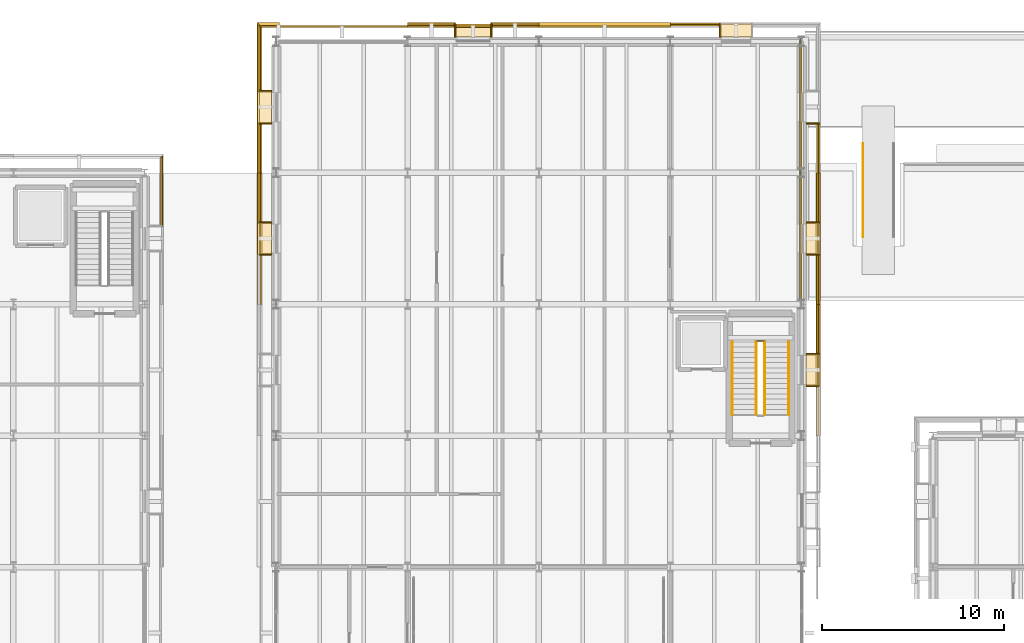
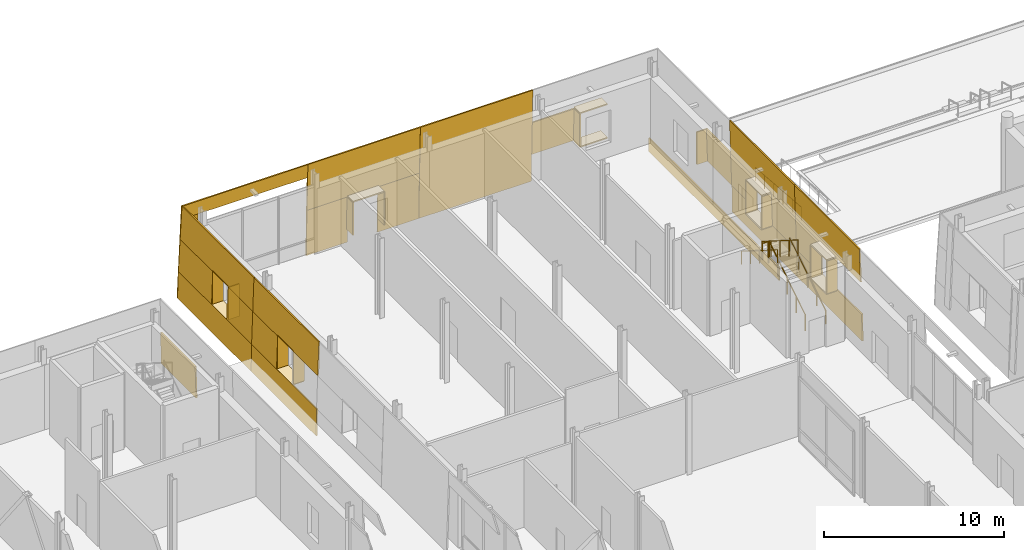
# One storey, part 110 of 120: 47 coverings, 6 railings.
"""IFC4 building model written with IfcOpenShell, lengths in metres."""

import ifcopenshell
import ifcopenshell.guid

model = None  # the IFC model being written
_history = None  # IfcOwnerHistory: only IFC2X3 demands one
_inside = {}  # id of a spatial element -> (the spatial element, [elements in it])
_under = {}  # id of a project, library or spatial element -> (it, [spatial elements below it])
_declared = {}  # id of a project -> (the project, [libraries it declares])
_typed = {}  # id of a type object -> (the type object, [elements of that type])
_made_of = {}  # id of a material, layer set ... -> (it, [elements and type objects made of it])


def new_model(schema):
    """Start an empty IFC model of exactly this schema.

    Asked for "IFC4X3", IfcOpenShell would pick the latest addendum, in which some entities
    have other attributes; the version numbers below select the first issue.
    IFC2X3 requires an IfcOwnerHistory on every rooted entity: one is made here for all.
    """
    global model, _history
    if schema == "IFC4X3":
        model = ifcopenshell.file(schema_version=(4, 3, 0, 0))
    else:
        model = ifcopenshell.file(schema=schema)
    _inside.clear()
    _under.clear()
    _declared.clear()
    _typed.clear()
    _made_of.clear()
    _history = None
    if model.schema == "IFC2X3":
        org = make("IfcOrganization", Name="unknown")
        user = make(
            "IfcPersonAndOrganization",
            ThePerson=make("IfcPerson", FamilyName="unknown"),
            TheOrganization=org,
        )
        app = make(
            "IfcApplication",
            ApplicationDeveloper=org,
            Version="unknown",
            ApplicationFullName="unknown",
            ApplicationIdentifier="unknown",
        )
        _history = make(
            "IfcOwnerHistory",
            OwningUser=user,
            OwningApplication=app,
            ChangeAction="ADDED",
            CreationDate=0,
        )
    return model


def make(cls, **values):
    """One entity of the class cls with the attributes given. An attribute that is None is left unset."""
    return model.create_entity(
        cls, **{name: value for name, value in values.items() if value is not None}
    )


def rooted(cls, **values):
    """An entity with a GlobalId (a new one), such as an element, a storey or a relation."""
    return make(cls, GlobalId=ifcopenshell.guid.new(), OwnerHistory=_history, **values)


def si_unit(unit_type, name, prefix=None):
    """IfcSIUnit, for example si_unit("LENGTHUNIT", "METRE", prefix="MILLI")."""
    return make("IfcSIUnit", UnitType=unit_type, Prefix=prefix, Name=name)


def assignment(units):
    """IfcUnitAssignment: the units of a project."""
    return None if units is None else make("IfcUnitAssignment", Units=units)


def point(xyz):
    """IfcCartesianPoint."""
    return None if xyz is None else make("IfcCartesianPoint", Coordinates=xyz)


def direction(xyz):
    """IfcDirection."""
    return None if xyz is None else make("IfcDirection", DirectionRatios=xyz)


def frame(location, z_axis=None, x_axis=None):
    """IfcAxis2Placement3D, a coordinate frame: its origin and axes. An axis left out is left unset."""
    return make(
        "IfcAxis2Placement3D",
        Location=point(location),
        Axis=direction(z_axis),
        RefDirection=direction(x_axis),
    )


def frame_2d(location, x_axis=None):
    """IfcAxis2Placement2D, a coordinate frame in the plane: its origin and x axis."""
    return make(
        "IfcAxis2Placement2D", Location=point(location), RefDirection=direction(x_axis)
    )


def origin():
    """The frame at (0, 0, 0) with its axes left unset."""
    return frame((0.0, 0.0, 0.0))


def origin_2d():
    """The frame at (0, 0) in the plane with its x axis left unset."""
    return frame_2d((0.0, 0.0))


def place(relative_to, where):
    """IfcLocalPlacement: puts the frame where relative to a parent placement (None: the world)."""
    return make(
        "IfcLocalPlacement", PlacementRelTo=relative_to, RelativePlacement=where
    )


def context(
    kind, dimensions, precision=None, world=None, true_north=None, identifier=None
):
    """IfcGeometricRepresentationContext, for example the 3D "Model" context."""
    return make(
        "IfcGeometricRepresentationContext",
        ContextIdentifier=identifier,
        ContextType=kind,
        CoordinateSpaceDimension=dimensions,
        Precision=precision,
        WorldCoordinateSystem=world,
        TrueNorth=true_north,
    )


def subcontext(parent, identifier, kind, view, scale=None):
    """IfcGeometricRepresentationSubContext, for example "Body" below "Model"."""
    return make(
        "IfcGeometricRepresentationSubContext",
        ContextIdentifier=identifier,
        ContextType=kind,
        ParentContext=parent,
        TargetScale=scale,
        TargetView=view,
    )


def project(units=None, contexts=None):
    """IfcProject with its units and contexts."""
    return rooted(
        "IfcProject",
        Name="project",
        RepresentationContexts=contexts,
        UnitsInContext=assignment(units),
    )


def spatial(cls, under=None, at=None, **own):
    """A site, building, storey or space (cls), placed at a placement, below another one or the project."""
    s = rooted(cls, ObjectPlacement=at, **own)
    if under is not None:
        _under.setdefault(under.id(), (under, []))[1].append(s)
    return s


def polyline(points):
    """IfcPolyline through the points."""
    return make("IfcPolyline", Points=[point(p) for p in points])


def profile(cls, at=None, kind="AREA", **sizes):
    """A parametric profile (cls). Its sizes go by their IFC names, for example OverallWidth=200.0."""
    return make(cls, ProfileType=kind, Position=at, **sizes)


def circle(**sizes):
    """IfcCircleProfileDef."""
    return profile("IfcCircleProfileDef", **sizes)


def outline(outer, holes=None, kind="AREA"):
    """IfcArbitraryClosedProfileDef: a profile drawn as a closed curve; with holes, ...WithVoids."""
    if holes is None:
        return make("IfcArbitraryClosedProfileDef", ProfileType=kind, OuterCurve=outer)
    return make(
        "IfcArbitraryProfileDefWithVoids",
        ProfileType=kind,
        OuterCurve=outer,
        InnerCurves=holes,
    )


def extrude(swept, where, along, depth):
    """IfcExtrudedAreaSolid: the profile swept, set in the frame where, extruded along a direction by depth."""
    return make(
        "IfcExtrudedAreaSolid",
        SweptArea=swept,
        Position=where,
        ExtrudedDirection=direction(along),
        Depth=depth,
    )


def shape(context_of_items, identifier, shape_type, items):
    """IfcShapeRepresentation: the items that make up one representation, for example the "Body"."""
    return make(
        "IfcShapeRepresentation",
        ContextOfItems=context_of_items,
        RepresentationIdentifier=identifier,
        RepresentationType=shape_type,
        Items=items,
    )


def material(Name=None, Category=None):
    """IfcMaterial."""
    return make("IfcMaterial", Name=Name, Category=Category)


def layer(
    of_material, thickness, ventilated=None, Name=None, Category=None, Priority=None
):
    """IfcMaterialLayer: one layer of a wall or slab, of a material (None: an air gap)."""
    return make(
        "IfcMaterialLayer",
        Material=of_material,
        LayerThickness=thickness,
        IsVentilated=ventilated,
        Name=Name,
        Category=Category,
        Priority=Priority,
    )


def layer_set(layers, Name=None):
    """IfcMaterialLayerSet."""
    return make("IfcMaterialLayerSet", MaterialLayers=layers, LayerSetName=Name)


def made_of(thing, what):
    """Note that an element or type object is made of a material, layer set ...; save() writes the relation."""
    if what is not None:
        _made_of.setdefault(what.id(), (what, []))[1].append(thing)
    return thing


def type_object(cls, material=None, **own):
    """A type object (cls), such as IfcWallType, which elements share."""
    return made_of(rooted(cls, **own), material)


def element(
    cls,
    number,
    at=None,
    inside=None,
    cuts=None,
    type_object=None,
    material=None,
    context=None,
    identifier="Body",
    shape_type=None,
    held_by="IfcProductDefinitionShape",
    body=None,
    shapes=None,
    **own,
):
    """One element of the class cls, such as IfcWall. Its Tag is "e" and its number.

    at: its placement. inside: the storey or other place that contains it. cuts: it is an
    opening in that element (IfcRelVoidsElement). A single representation is given by context,
    identifier, shape_type and body (its items); several are given by shapes. held_by: the class
    of the entity that holds the representations. save() writes the other relations.
    """
    e = rooted(cls, Tag="e%d" % number, ObjectPlacement=at, **own)
    if body is not None:
        shapes = [shape(context, identifier, shape_type, body)]
    if shapes is not None:
        e.Representation = make(held_by, Representations=shapes)
    if inside is not None:
        _inside.setdefault(inside.id(), (inside, []))[1].append(e)
    if cuts is not None:
        rooted(
            "IfcRelVoidsElement", RelatingBuildingElement=cuts, RelatedOpeningElement=e
        )
    if type_object is not None:
        _typed.setdefault(type_object.id(), (type_object, []))[1].append(e)
    return made_of(e, material)


def aggregate(whole, parts):
    """IfcRelAggregates: a whole, such as a stair, and the parts it consists of."""
    return rooted("IfcRelAggregates", RelatingObject=whole, RelatedObjects=parts)


def save(model, path):
    """Write the relations noted so far, then the file.

    IfcRelAggregates (storeys below a building ...), IfcRelContainedInSpatialStructure (elements
    in a storey), IfcRelDefinesByType, IfcRelAssociatesMaterial and IfcRelDeclares: one each for
    every whole, place, type object, material and project.
    """
    for whole, parts in _under.values():
        aggregate(whole, parts)
    for where, things in _inside.values():
        rooted(
            "IfcRelContainedInSpatialStructure",
            RelatedElements=things,
            RelatingStructure=where,
        )
    for kind, things in _typed.values():
        rooted("IfcRelDefinesByType", RelatedObjects=things, RelatingType=kind)
    for what, things in _made_of.values():
        rooted("IfcRelAssociatesMaterial", RelatedObjects=things, RelatingMaterial=what)
    for by, libraries in _declared.values():
        rooted("IfcRelDeclares", RelatingContext=by, RelatedDefinitions=libraries)
    model.write(path)


model = new_model("IFC4")

# Units and contexts
model_context = context("Model", 3, precision=1e-05, world=origin(), true_north=direction((0.0, 1.0)))
body_context = subcontext(model_context, "Body", "Model", "MODEL_VIEW")
ifc_project = project(units=[si_unit("LENGTHUNIT", "METRE"), si_unit("AREAUNIT", "SQUARE_METRE"), si_unit("VOLUMEUNIT", "CUBIC_METRE"), si_unit("PLANEANGLEUNIT", "RADIAN"), si_unit("MASSUNIT", "GRAM", prefix="KILO")], contexts=[model_context])

# Site, building, storey
site_placement = place(None, origin())
site = spatial("IfcSite", under=ifc_project, at=site_placement, CompositionType="ELEMENT")
building_placement = place(site_placement, origin())
building = spatial("IfcBuilding", under=site, at=building_placement, Name="Narikvali Park Central Library", CompositionType="ELEMENT")
storey_placement = place(building_placement, origin())
storey = spatial("IfcBuildingStorey", under=building, at=storey_placement, Name="L00", CompositionType="ELEMENT", Elevation=0.0)

# Railing
ifc_material_1 = material(Name="Brushed Stainless Steel S355", Category="steel")
ifc_layer_1 = layer(ifc_material_1, 0.050048828125, Name="Brushed Stainless Steel S355")
ifc_layer_set_1 = layer_set([ifc_layer_1], Name="Brushed Stainless Steel S355")
railing_type_1 = type_object("IfcRailingType", Name="Accessible Ramp Stainless Handrail 920", PredefinedType="HANDRAIL", material=ifc_layer_set_1)
railing_1_placement = place(storey_placement, frame((60.9599609375, 109.60009765625, -0.56787109375)))
element("IfcRailing", 1, at=railing_1_placement, inside=storey, type_object=railing_type_1, Name="RMP-01 Accessible Handrail W", PredefinedType="HANDRAIL", context=body_context, shape_type="SweptSolid", body=[
    extrude(circle(Radius=0.02392578125, at=origin_2d()), frame((0.0, 0.0, 0.89599609375), z_axis=(0.0, -0.996770364841, 0.080304668455), x_axis=(1.0, 0.0, 0.0)), (0.0, 0.0, 1.0), 5.11669921875),
    extrude(circle(Radius=0.02099609375, at=origin_2d()), origin(), (0.0, 0.0, 1.0), 0.871826171875),
    extrude(circle(Radius=0.02099609375, at=origin_2d()), frame((0.0, -1.02001953125, 0.082275390625)), (0.0, 0.0, 1.0), 0.871826171875),
    extrude(circle(Radius=0.02099609375, at=origin_2d()), frame((0.0, -2.0400390625, 0.164306640625)), (0.0, 0.0, 1.0), 0.871826171875),
    extrude(circle(Radius=0.02099609375, at=origin_2d()), frame((0.0, -3.06005859375, 0.24658203125)), (0.0, 0.0, 1.0), 0.871826171875),
    extrude(circle(Radius=0.02099609375, at=origin_2d()), frame((0.0, -4.080078125, 0.32861328125)), (0.0, 0.0, 1.0), 0.871826171875),
    extrude(circle(Radius=0.02099609375, at=origin_2d()), frame((0.0, -5.10009765625, 0.410888671875)), (0.0, 0.0, 1.0), 0.871826171875),
])

# Coverings
ifc_material_2 = material(Name="White Honed Limestone Cladding", Category="masonry")
ifc_layer_2 = layer(ifc_material_2, 0.0849609375, Name="White Honed Limestone Cladding")
ifc_layer_set_2 = layer_set([ifc_layer_2], Name="White Honed Limestone Cladding")
covering_type_1 = type_object("IfcCoveringType", Name="Battered White Limestone Facade Cladding Panel", PredefinedType="CLADDING", material=ifc_layer_set_2)
covering_1_placement = place(storey_placement, frame((58.639892578125, 93.60009765625, -0.8798828125), z_axis=(0.999847289173, 0.0, 0.017475649751), x_axis=(0.0, 1.0, 0.0)))
element("IfcCovering", 2, at=covering_1_placement, inside=storey, type_object=covering_type_1, Name="V4 L00 E Battered Limestone Spandrel B07", PredefinedType="CLADDING", context=body_context, shape_type="SweptSolid", body=[
    extrude(outline(polyline([(0.0, 0.0), (7.199951171875, 0.0), (7.199951171875, 1.8301134625161029), (0.0, 1.8301134625161029), (0.0, 0.0)])), origin(), (0.0, 0.0, -1.0), 0.0849609375),
])
covering_2_placement = place(storey_placement, frame((58.533935546875, 93.60009765625, 3.14990234375), z_axis=(0.999431101062, 0.0, 0.033726461852), x_axis=(0.0, 1.0, 0.0)))
element("IfcCovering", 3, at=covering_2_placement, inside=storey, type_object=covering_type_1, Name="V4 L00 E Battered Limestone Lintel B07", PredefinedType="CLADDING", context=body_context, shape_type="SweptSolid", body=[
    extrude(outline(polyline([(0.0, 0.0), (7.199951171875, 0.0), (7.199951171875, 2.2512807512274695), (0.0, 2.2512807512274695), (0.0, 0.0)])), origin(), (0.0, 0.0, -1.0), 0.0849609375),
])
covering_3_placement = place(storey_placement, frame((58.60791015625, 98.0400390625, 0.949951171875), z_axis=(0.999435139525, 0.0, 0.033606574995), x_axis=(0.0, 1.0, 0.0)))
element("IfcCovering", 4, at=covering_3_placement, inside=storey, type_object=covering_type_1, Name="V4 L00 E Battered Limestone Jamb Pier R B07", PredefinedType="CLADDING", context=body_context, shape_type="SweptSolid", body=[
    extrude(outline(polyline([(0.0, 0.0), (2.760009765625, 0.0), (2.760009765625, 2.201194539668489), (0.0, 2.201194539668489), (0.0, 0.0)])), origin(), (0.0, 0.0, -1.0), 0.0849609375),
])
covering_4_placement = place(storey_placement, frame((58.639892578125, 100.800048828125, -0.8798828125), z_axis=(0.999847289173, 0.0, 0.017475649751), x_axis=(0.0, 1.0, 0.0)))
element("IfcCovering", 5, at=covering_4_placement, inside=storey, type_object=covering_type_1, Name="V4 L00 E Battered Limestone Spandrel B08", PredefinedType="CLADDING", context=body_context, shape_type="SweptSolid", body=[
    extrude(outline(polyline([(0.0, 0.0), (7.199951171875, 0.0), (7.199951171875, 1.8301134625161029), (0.0, 1.8301134625161029), (0.0, 0.0)])), origin(), (0.0, 0.0, -1.0), 0.0849609375),
])
covering_5_placement = place(storey_placement, frame((58.533935546875, 100.800048828125, 3.14990234375), z_axis=(0.999431101062, 0.0, 0.033726461852), x_axis=(0.0, 1.0, 0.0)))
element("IfcCovering", 6, at=covering_5_placement, inside=storey, type_object=covering_type_1, Name="V4 L00 E Battered Limestone Lintel B08", PredefinedType="CLADDING", context=body_context, shape_type="SweptSolid", body=[
    extrude(outline(polyline([(0.0, 0.0), (7.199951171875, 0.0), (7.199951171875, 2.2512807512274695), (0.0, 2.2512807512274695), (0.0, 0.0)])), origin(), (0.0, 0.0, -1.0), 0.0849609375),
])
for number, where, z_axis, x_axis, name in (
    (7, (58.60791015625, 100.800048828125, 0.949951171875), (0.999435139525, 0.0, 0.033606574995), (0.0, 1.0, 0.0), "V4 L00 E Battered Limestone Jamb Pier L B08"),
    (8, (58.60791015625, 105.239990234375, 0.949951171875), (0.999435139525, 0.0, 0.033606574995), (0.0, 1.0, 0.0), "V4 L00 E Battered Limestone Jamb Pier R B08"),
    (9, (58.60791015625, 108.0, 0.949951171875), (0.999435139525, 0.0, 0.033606574995), (0.0, 1.0, 0.0), "V4 L00 E Battered Limestone Jamb Pier L B09"),
):
    element("IfcCovering", number, at=place(storey_placement, frame(where, z_axis=z_axis, x_axis=x_axis)), inside=storey, type_object=covering_type_1, Name=name, PredefinedType="CLADDING", context=body_context, shape_type="SweptSolid", body=[
        extrude(outline(polyline([(0.0, 0.0), (2.760009765625, 0.0), (2.760009765625, 2.201194539668489), (0.0, 2.201194539668489), (0.0, 0.0)])), origin(), (0.0, 0.0, -1.0), 0.0849609375),
    ])
covering_6_placement = place(storey_placement, frame((53.159912109375, 116.2080078125, 0.949951171875), z_axis=(0.0, 0.999431408105, 0.033717361898), x_axis=(-1.0, 0.0, 0.0)))
element("IfcCovering", 10, at=covering_6_placement, inside=storey, type_object=covering_type_1, Name="V4 L00 N Battered Limestone Jamb Pier R B01", PredefinedType="CLADDING", context=body_context, shape_type="SweptSolid", body=[
    extrude(outline(polyline([(0.0, 0.0), (2.760009765625, 0.0), (2.760009765625, 2.2012027579225295), (0.0, 2.2012027579225295), (0.0, 0.0)])), origin(), (0.0, 0.0, -1.0), 0.0849609375),
])
covering_7_placement = place(storey_placement, frame((50.39990234375, 116.239990234375, -0.8798828125), z_axis=(0.0, 0.999580820588, 0.028951392245), x_axis=(-1.0, 0.0, 0.0)))
element("IfcCovering", 11, at=covering_7_placement, inside=storey, type_object=covering_type_1, Name="V4 L00 N Battered Limestone Panel B02", PredefinedType="CLADDING", context=body_context, shape_type="SweptSolid", body=[
    extrude(outline(polyline([(0.0, 0.0), (7.199951171875, 0.0), (7.199951171875, 6.282418616792763), (0.0, 6.282418616792763), (0.0, 0.0)])), origin(), (0.0, 0.0, -1.0), 0.0849609375),
])
for number, where, z_axis, x_axis, name in (
    (12, (43.199951171875, 116.239990234375, -0.8798828125), (0.0, 0.999707784782, 0.024173229947), (-1.0, 0.0, 0.0), "V4 L00 N Battered Portal Pier L B03"),
    (13, (38.639892578125, 116.239990234375, -0.8798828125), (0.0, 0.999707784782, 0.024173229947), (-1.0, 0.0, 0.0), "V4 L00 N Battered Portal Pier R B03"),
):
    element("IfcCovering", number, at=place(storey_placement, frame(where, z_axis=z_axis, x_axis=x_axis)), inside=storey, type_object=covering_type_1, Name=name, PredefinedType="CLADDING", context=body_context, shape_type="SweptSolid", body=[
        extrude(outline(polyline([(0.0, 0.0), (2.639892578125, 0.0), (2.639892578125, 3.120784987740248), (0.0, 3.120784987740248), (0.0, 0.0)])), origin(), (0.0, 0.0, -1.0), 0.0849609375),
    ])
covering_8_placement = place(storey_placement, frame((43.199951171875, 116.16455078125, 2.239990234375), z_axis=(0.0, 0.999433103653, 0.033667065842), x_axis=(-1.0, 0.0, 0.0)))
element("IfcCovering", 14, at=covering_8_placement, inside=storey, type_object=covering_type_1, Name="V4 L00 N Battered Portal Header B03", PredefinedType="CLADDING", context=body_context, shape_type="SweptSolid", body=[
    extrude(outline(polyline([(0.0, 0.0), (7.199951171875, 0.0), (7.199951171875, 3.1617044680880575), (0.0, 3.1617044680880575), (0.0, 0.0)])), origin(), (0.0, 0.0, -1.0), 0.0849609375),
])
covering_9_placement = place(storey_placement, frame((36.0, 116.08837890625, 4.5), z_axis=(0.0, 0.999434628015, 0.033621783471), x_axis=(-1.0, 0.0, 0.0)))
element("IfcCovering", 15, at=covering_9_placement, inside=storey, type_object=covering_type_1, Name="V4 L00 N Battered Limestone Spandrel Header B04", PredefinedType="CLADDING", context=body_context, shape_type="SweptSolid", body=[
    extrude(outline(polyline([(0.0, 0.0), (8.08837890625, 0.0), (8.05810546875, 0.9004114111364925), (0.0, 0.9004114111364925), (0.0, 0.0)])), origin(), (0.0, 0.0, -1.0), 0.0849609375),
])
covering_10_placement = place(storey_placement, frame((28.991943359375, 116.239990234375, -0.8798828125), z_axis=(0.0, 0.999603147527, 0.028169974343), x_axis=(-1.0, 0.0, 0.0)))
element("IfcCovering", 16, at=covering_10_placement, inside=storey, type_object=covering_type_1, Name="V4 L00 N Battered Limestone Pier R B04", PredefinedType="CLADDING", context=body_context, shape_type="SweptSolid", body=[
    extrude(outline(polyline([(0.0, 0.0), (1.23193359375, 0.0), (1.080322265625, 5.382018679923801), (0.0, 5.382018679923801), (0.0, 0.0)])), origin(), (0.0, 0.0, -1.0), 0.0849609375),
])
covering_11_placement = place(storey_placement, frame((27.760009765625, 116.155029296875, -0.8798828125), z_axis=(-0.999847289173, 0.0, 0.017475649751), x_axis=(0.0, -1.0, 0.0)))
element("IfcCovering", 17, at=covering_11_placement, inside=storey, type_object=covering_type_1, Name="V4 L00 W Battered Limestone Spandrel B01", PredefinedType="CLADDING", context=body_context, shape_type="SweptSolid", body=[
    extrude(outline(polyline([(0.0, 0.0), (8.155029296875, 0.0), (8.155029296875, 1.8301134625161026), (0.031982421875, 1.8301134625161026), (0.0, 0.0)])), origin(), (0.0, 0.0, -1.0), 0.0849609375),
])
covering_12_placement = place(storey_placement, frame((27.8662109375, 116.048828125, 3.14990234375), z_axis=(-0.999434750598, 0.0, 0.033618139397), x_axis=(0.0, -1.0, 0.0)))
element("IfcCovering", 18, at=covering_12_placement, inside=storey, type_object=covering_type_1, Name="V4 L00 W Battered Limestone Lintel B01", PredefinedType="CLADDING", context=body_context, shape_type="SweptSolid", body=[
    extrude(outline(polyline([(0.0, 0.0), (8.048828125, 0.0), (8.048828125, 2.251272530450926), (0.07568359375, 2.251272530450926), (0.0, 0.0)])), origin(), (0.0, 0.0, -1.0), 0.0849609375),
])
covering_13_placement = place(storey_placement, frame((27.7919921875, 116.123046875, 0.949951171875), z_axis=(-0.999431408105, 0.0, 0.033717361898), x_axis=(0.0, -1.0, 0.0)))
element("IfcCovering", 19, at=covering_13_placement, inside=storey, type_object=covering_type_1, Name="V4 L00 W Battered Limestone Jamb Pier L B01", PredefinedType="CLADDING", context=body_context, shape_type="SweptSolid", body=[
    extrude(outline(polyline([(0.0, 0.0), (3.68310546875, 0.0), (3.68310546875, 2.201202757922529), (0.07421875, 2.201202757922529), (0.0, 0.0)])), origin(), (0.0, 0.0, -1.0), 0.0849609375),
])
covering_14_placement = place(storey_placement, frame((27.7919921875, 110.760009765625, 0.949951171875), z_axis=(-0.999431408105, 0.0, 0.033717361898), x_axis=(0.0, -1.0, 0.0)))
element("IfcCovering", 20, at=covering_14_placement, inside=storey, type_object=covering_type_1, Name="V4 L00 W Battered Limestone Jamb Pier R B01", PredefinedType="CLADDING", context=body_context, shape_type="SweptSolid", body=[
    extrude(outline(polyline([(0.0, 0.0), (2.760009765625, 0.0), (2.760009765625, 2.2012027579225295), (0.0, 2.2012027579225295), (0.0, 0.0)])), origin(), (0.0, 0.0, -1.0), 0.0849609375),
])
covering_15_placement = place(storey_placement, frame((27.760009765625, 108.0, -0.8798828125), z_axis=(-0.999847289173, 0.0, 0.017475649751), x_axis=(0.0, -1.0, 0.0)))
element("IfcCovering", 21, at=covering_15_placement, inside=storey, type_object=covering_type_1, Name="V4 L00 W Battered Limestone Spandrel B02", PredefinedType="CLADDING", context=body_context, shape_type="SweptSolid", body=[
    extrude(outline(polyline([(0.0, 0.0), (7.199951171875, 0.0), (7.199951171875, 1.8301134625161029), (0.0, 1.8301134625161029), (0.0, 0.0)])), origin(), (0.0, 0.0, -1.0), 0.0849609375),
])
covering_16_placement = place(storey_placement, frame((27.8662109375, 108.0, 3.14990234375), z_axis=(-0.999434750598, 0.0, 0.033618139397), x_axis=(0.0, -1.0, 0.0)))
element("IfcCovering", 22, at=covering_16_placement, inside=storey, type_object=covering_type_1, Name="V4 L00 W Battered Limestone Lintel B02", PredefinedType="CLADDING", context=body_context, shape_type="SweptSolid", body=[
    extrude(outline(polyline([(0.0, 0.0), (7.199951171875, 0.0), (7.199951171875, 2.251272530450926), (0.0, 2.251272530450926), (0.0, 0.0)])), origin(), (0.0, 0.0, -1.0), 0.0849609375),
])
covering_17_placement = place(storey_placement, frame((27.7919921875, 108.0, 0.949951171875), z_axis=(-0.999431408105, 0.0, 0.033717361898), x_axis=(0.0, -1.0, 0.0)))
element("IfcCovering", 23, at=covering_17_placement, inside=storey, type_object=covering_type_1, Name="V4 L00 W Battered Limestone Jamb Pier L B02", PredefinedType="CLADDING", context=body_context, shape_type="SweptSolid", body=[
    extrude(outline(polyline([(0.0, 0.0), (2.760009765625, 0.0), (2.760009765625, 2.2012027579225295), (0.0, 2.2012027579225295), (0.0, 0.0)])), origin(), (0.0, 0.0, -1.0), 0.0849609375),
])
covering_18_placement = place(storey_placement, frame((22.613037109375, 105.0400390625, 0.949951171875), z_axis=(0.99959734633, 0.0, 0.028375080797), x_axis=(0.0, 1.0, 0.0)))
element("IfcCovering", 24, at=covering_18_placement, inside=storey, type_object=covering_type_1, Name="V5 L00 E Battered Limestone Jamb Pier R B11", PredefinedType="CLADDING", context=body_context, shape_type="SweptSolid", body=[
    extrude(outline(polyline([(0.0, 0.0), (3.887939453125, 0.0), (3.8271484375, 2.15101259749185), (0.0, 2.15101259749185), (0.0, 0.0)])), origin(), (0.0, 0.0, -1.0), 0.0849609375),
])
covering_19_placement = place(storey_placement, frame((57.580078125, 101.0, -0.905029296875), z_axis=(1.0, 0.0, 0.0), x_axis=(0.0, 1.0, 0.0)))
element("IfcCovering", 25, at=covering_19_placement, inside=storey, type_object=covering_type_1, Name="Forecourt White Limestone Plinth Facing FC-PLINTH-W", PredefinedType="CLADDING", context=body_context, shape_type="SweptSolid", body=[
    extrude(outline(polyline([(0.0, 0.0), (14.449951171875, 0.0), (14.449951171875, 0.905029296875), (0.0, 0.905029296875), (0.0, 0.0)])), origin(), (0.0, 0.0, -1.0), 0.0849609375),
])
ifc_layer_3 = layer(ifc_material_2, 0.080078125, Name="White Honed Limestone Cladding")
ifc_layer_set_3 = layer_set([ifc_layer_3], Name="White Honed Limestone Cladding")
covering_type_2 = type_object("IfcCoveringType", Name="Deep Carved White Limestone Window Reveal", PredefinedType="CLADDING", material=ifc_layer_set_3)
covering_20_placement = place(storey_placement, frame((0.0, 0.0, 3.14990234375)))
element("IfcCovering", 26, at=covering_20_placement, inside=storey, type_object=covering_type_2, Name="Deep Stone Reveal Head V4-RVL-L00-E-B07", PredefinedType="CLADDING", context=body_context, shape_type="SweptSolid", body=[
    extrude(outline(polyline([(57.844970703125, 96.320068359375), (57.844970703125, 98.080078125), (58.533935546875, 98.080078125), (58.533935546875, 96.320068359375), (57.844970703125, 96.320068359375)])), origin(), (0.0, 0.0, 1.0), 0.080078125),
])
covering_21_placement = place(storey_placement, frame((0.0, 0.0, 0.8701171875)))
element("IfcCovering", 27, at=covering_21_placement, inside=storey, type_object=covering_type_2, Name="Deep Stone Reveal Sill V4-RVL-L00-E-B07", PredefinedType="CLADDING", context=body_context, shape_type="SweptSolid", body=[
    extrude(outline(polyline([(57.844970703125, 96.320068359375), (57.844970703125, 98.080078125), (58.60791015625, 98.080078125), (58.60791015625, 96.320068359375), (57.844970703125, 96.320068359375)])), origin(), (0.0, 0.0, 1.0), 0.079833984375),
])
covering_22_placement = place(storey_placement, frame((0.0, 0.0, 0.949951171875)))
element("IfcCovering", 28, at=covering_22_placement, inside=storey, type_object=covering_type_2, Name="Deep Stone Reveal Jamb L V4-RVL-L00-E-B07", PredefinedType="CLADDING", context=body_context, shape_type="SweptSolid", body=[
    extrude(outline(polyline([(57.844970703125, 96.280029296875), (57.844970703125, 96.360107421875), (58.533935546875, 96.360107421875), (58.533935546875, 96.280029296875), (57.844970703125, 96.280029296875)])), origin(), (0.0, 0.0, 1.0), 2.199951171875),
])
covering_23_placement = place(storey_placement, frame((0.0, 0.0, 0.949951171875)))
element("IfcCovering", 29, at=covering_23_placement, inside=storey, type_object=covering_type_2, Name="Deep Stone Reveal Jamb R V4-RVL-L00-E-B07", PredefinedType="CLADDING", context=body_context, shape_type="SweptSolid", body=[
    extrude(outline(polyline([(57.844970703125, 98.0400390625), (57.844970703125, 98.1201171875), (58.533935546875, 98.1201171875), (58.533935546875, 98.0400390625), (57.844970703125, 98.0400390625)])), origin(), (0.0, 0.0, 1.0), 2.199951171875),
])
covering_24_placement = place(storey_placement, frame((0.0, 0.0, 3.14990234375)))
element("IfcCovering", 30, at=covering_24_placement, inside=storey, type_object=covering_type_2, Name="Deep Stone Reveal Head V4-RVL-L00-E-B08", PredefinedType="CLADDING", context=body_context, shape_type="SweptSolid", body=[
    extrude(outline(polyline([(57.844970703125, 103.52001953125), (57.844970703125, 105.280029296875), (58.533935546875, 105.280029296875), (58.533935546875, 103.52001953125), (57.844970703125, 103.52001953125)])), origin(), (0.0, 0.0, 1.0), 0.080078125),
])
covering_25_placement = place(storey_placement, frame((0.0, 0.0, 0.8701171875)))
element("IfcCovering", 31, at=covering_25_placement, inside=storey, type_object=covering_type_2, Name="Deep Stone Reveal Sill V4-RVL-L00-E-B08", PredefinedType="CLADDING", context=body_context, shape_type="SweptSolid", body=[
    extrude(outline(polyline([(57.844970703125, 103.52001953125), (57.844970703125, 105.280029296875), (58.60791015625, 105.280029296875), (58.60791015625, 103.52001953125), (57.844970703125, 103.52001953125)])), origin(), (0.0, 0.0, 1.0), 0.079833984375),
])
covering_26_placement = place(storey_placement, frame((0.0, 0.0, 0.949951171875)))
element("IfcCovering", 32, at=covering_26_placement, inside=storey, type_object=covering_type_2, Name="Deep Stone Reveal Jamb L V4-RVL-L00-E-B08", PredefinedType="CLADDING", context=body_context, shape_type="SweptSolid", body=[
    extrude(outline(polyline([(57.844970703125, 103.47998046875), (57.844970703125, 103.56005859375), (58.533935546875, 103.56005859375), (58.533935546875, 103.47998046875), (57.844970703125, 103.47998046875)])), origin(), (0.0, 0.0, 1.0), 2.199951171875),
])
covering_27_placement = place(storey_placement, frame((0.0, 0.0, 0.949951171875)))
element("IfcCovering", 33, at=covering_27_placement, inside=storey, type_object=covering_type_2, Name="Deep Stone Reveal Jamb R V4-RVL-L00-E-B08", PredefinedType="CLADDING", context=body_context, shape_type="SweptSolid", body=[
    extrude(outline(polyline([(57.844970703125, 105.239990234375), (57.844970703125, 105.320068359375), (58.533935546875, 105.320068359375), (58.533935546875, 105.239990234375), (57.844970703125, 105.239990234375)])), origin(), (0.0, 0.0, 1.0), 2.199951171875),
])
covering_28_placement = place(storey_placement, frame((0.0, 0.0, 0.949951171875)))
element("IfcCovering", 34, at=covering_28_placement, inside=storey, type_object=covering_type_2, Name="Deep Stone Reveal Jamb L V4-RVL-L00-E-B09", PredefinedType="CLADDING", context=body_context, shape_type="SweptSolid", body=[
    extrude(outline(polyline([(57.844970703125, 110.679931640625), (57.844970703125, 110.760009765625), (58.533935546875, 110.760009765625), (58.533935546875, 110.679931640625), (57.844970703125, 110.679931640625)])), origin(), (0.0, 0.0, 1.0), 2.199951171875),
])
covering_29_placement = place(storey_placement, frame((0.0, 0.0, 3.14990234375)))
element("IfcCovering", 35, at=covering_29_placement, inside=storey, type_object=covering_type_2, Name="Deep Stone Reveal Head V4-RVL-L00-N-B01", PredefinedType="CLADDING", context=body_context, shape_type="SweptSolid", body=[
    extrude(outline(polyline([(54.8798828125, 115.445068359375), (53.1201171875, 115.445068359375), (53.1201171875, 116.1337890625), (54.8798828125, 116.1337890625), (54.8798828125, 115.445068359375)])), origin(), (0.0, 0.0, 1.0), 0.080078125),
])
covering_30_placement = place(storey_placement, frame((0.0, 0.0, 0.8701171875)))
element("IfcCovering", 36, at=covering_30_placement, inside=storey, type_object=covering_type_2, Name="Deep Stone Reveal Sill V4-RVL-L00-N-B01", PredefinedType="CLADDING", context=body_context, shape_type="SweptSolid", body=[
    extrude(outline(polyline([(54.8798828125, 115.445068359375), (53.1201171875, 115.445068359375), (53.1201171875, 116.2080078125), (54.8798828125, 116.2080078125), (54.8798828125, 115.445068359375)])), origin(), (0.0, 0.0, 1.0), 0.079833984375),
])
covering_31_placement = place(storey_placement, frame((0.0, 0.0, 0.949951171875)))
element("IfcCovering", 37, at=covering_31_placement, inside=storey, type_object=covering_type_2, Name="Deep Stone Reveal Jamb R V4-RVL-L00-N-B01", PredefinedType="CLADDING", context=body_context, shape_type="SweptSolid", body=[
    extrude(outline(polyline([(53.159912109375, 115.445068359375), (53.080078125, 115.445068359375), (53.080078125, 116.1337890625), (53.159912109375, 116.1337890625), (53.159912109375, 115.445068359375)])), origin(), (0.0, 0.0, 1.0), 2.199951171875),
])
covering_32_placement = place(storey_placement, frame((0.0, 0.0, 2.239990234375)))
element("IfcCovering", 38, at=covering_32_placement, inside=storey, type_object=covering_type_2, Name="Deep Stone Reveal Head V4-RVL-L00-N-B03", PredefinedType="CLADDING", context=body_context, shape_type="SweptSolid", body=[
    extrude(outline(polyline([(40.60009765625, 115.445068359375), (38.60009765625, 115.445068359375), (38.60009765625, 116.16455078125), (40.60009765625, 116.16455078125), (40.60009765625, 115.445068359375)])), origin(), (0.0, 0.0, 1.0), 0.080078125),
])
covering_33_placement = place(storey_placement, frame((0.0, 0.0, 0.02001953125)))
element("IfcCovering", 39, at=covering_33_placement, inside=storey, type_object=covering_type_2, Name="Deep Stone Reveal Jamb L V4-RVL-L00-N-B03", PredefinedType="CLADDING", context=body_context, shape_type="SweptSolid", body=[
    extrude(outline(polyline([(40.639892578125, 115.445068359375), (40.56005859375, 115.445068359375), (40.56005859375, 116.16455078125), (40.639892578125, 116.16455078125), (40.639892578125, 115.445068359375)])), origin(), (0.0, 0.0, 1.0), 2.219970703125),
])
covering_34_placement = place(storey_placement, frame((0.0, 0.0, 0.02001953125)))
element("IfcCovering", 40, at=covering_34_placement, inside=storey, type_object=covering_type_2, Name="Deep Stone Reveal Jamb R V4-RVL-L00-N-B03", PredefinedType="CLADDING", context=body_context, shape_type="SweptSolid", body=[
    extrude(outline(polyline([(38.639892578125, 115.445068359375), (38.56005859375, 115.445068359375), (38.56005859375, 116.16455078125), (38.639892578125, 116.16455078125), (38.639892578125, 115.445068359375)])), origin(), (0.0, 0.0, 1.0), 2.219970703125),
])
covering_35_placement = place(storey_placement, frame((0.0, 0.0, 3.14990234375)))
element("IfcCovering", 41, at=covering_35_placement, inside=storey, type_object=covering_type_2, Name="Deep Stone Reveal Head V4-RVL-L00-W-B01", PredefinedType="CLADDING", context=body_context, shape_type="SweptSolid", body=[
    extrude(outline(polyline([(28.554931640625, 112.47998046875), (28.554931640625, 110.719970703125), (27.8662109375, 110.719970703125), (27.8662109375, 112.47998046875), (28.554931640625, 112.47998046875)])), origin(), (0.0, 0.0, 1.0), 0.080078125),
])
covering_36_placement = place(storey_placement, frame((0.0, 0.0, 0.8701171875)))
element("IfcCovering", 42, at=covering_36_placement, inside=storey, type_object=covering_type_2, Name="Deep Stone Reveal Sill V4-RVL-L00-W-B01", PredefinedType="CLADDING", context=body_context, shape_type="SweptSolid", body=[
    extrude(outline(polyline([(28.554931640625, 112.47998046875), (28.554931640625, 110.719970703125), (27.7919921875, 110.719970703125), (27.7919921875, 112.47998046875), (28.554931640625, 112.47998046875)])), origin(), (0.0, 0.0, 1.0), 0.079833984375),
])
covering_37_placement = place(storey_placement, frame((0.0, 0.0, 0.949951171875)))
element("IfcCovering", 43, at=covering_37_placement, inside=storey, type_object=covering_type_2, Name="Deep Stone Reveal Jamb L V4-RVL-L00-W-B01", PredefinedType="CLADDING", context=body_context, shape_type="SweptSolid", body=[
    extrude(outline(polyline([(28.554931640625, 112.52001953125), (28.554931640625, 112.43994140625), (27.8662109375, 112.43994140625), (27.8662109375, 112.52001953125), (28.554931640625, 112.52001953125)])), origin(), (0.0, 0.0, 1.0), 2.199951171875),
])
covering_38_placement = place(storey_placement, frame((0.0, 0.0, 0.949951171875)))
element("IfcCovering", 44, at=covering_38_placement, inside=storey, type_object=covering_type_2, Name="Deep Stone Reveal Jamb R V4-RVL-L00-W-B01", PredefinedType="CLADDING", context=body_context, shape_type="SweptSolid", body=[
    extrude(outline(polyline([(28.554931640625, 110.760009765625), (28.554931640625, 110.679931640625), (27.8662109375, 110.679931640625), (27.8662109375, 110.760009765625), (28.554931640625, 110.760009765625)])), origin(), (0.0, 0.0, 1.0), 2.199951171875),
])
covering_39_placement = place(storey_placement, frame((0.0, 0.0, 3.14990234375)))
element("IfcCovering", 45, at=covering_39_placement, inside=storey, type_object=covering_type_2, Name="Deep Stone Reveal Head V4-RVL-L00-W-B02", PredefinedType="CLADDING", context=body_context, shape_type="SweptSolid", body=[
    extrude(outline(polyline([(28.554931640625, 105.280029296875), (28.554931640625, 103.52001953125), (27.8662109375, 103.52001953125), (27.8662109375, 105.280029296875), (28.554931640625, 105.280029296875)])), origin(), (0.0, 0.0, 1.0), 0.080078125),
])
covering_40_placement = place(storey_placement, frame((0.0, 0.0, 0.8701171875)))
element("IfcCovering", 46, at=covering_40_placement, inside=storey, type_object=covering_type_2, Name="Deep Stone Reveal Sill V4-RVL-L00-W-B02", PredefinedType="CLADDING", context=body_context, shape_type="SweptSolid", body=[
    extrude(outline(polyline([(28.554931640625, 105.280029296875), (28.554931640625, 103.52001953125), (27.7919921875, 103.52001953125), (27.7919921875, 105.280029296875), (28.554931640625, 105.280029296875)])), origin(), (0.0, 0.0, 1.0), 0.079833984375),
])
covering_41_placement = place(storey_placement, frame((0.0, 0.0, 0.949951171875)))
element("IfcCovering", 47, at=covering_41_placement, inside=storey, type_object=covering_type_2, Name="Deep Stone Reveal Jamb L V4-RVL-L00-W-B02", PredefinedType="CLADDING", context=body_context, shape_type="SweptSolid", body=[
    extrude(outline(polyline([(28.554931640625, 105.320068359375), (28.554931640625, 105.239990234375), (27.8662109375, 105.239990234375), (27.8662109375, 105.320068359375), (28.554931640625, 105.320068359375)])), origin(), (0.0, 0.0, 1.0), 2.199951171875),
])
covering_42_placement = place(storey_placement, frame((0.0, 0.0, 0.949951171875)))
element("IfcCovering", 48, at=covering_42_placement, inside=storey, type_object=covering_type_2, Name="Deep Stone Reveal Jamb R V4-RVL-L00-W-B02", PredefinedType="CLADDING", context=body_context, shape_type="SweptSolid", body=[
    extrude(outline(polyline([(28.554931640625, 103.56005859375), (28.554931640625, 103.47998046875), (27.8662109375, 103.47998046875), (27.8662109375, 103.56005859375), (28.554931640625, 103.56005859375)])), origin(), (0.0, 0.0, 1.0), 2.199951171875),
])

# Railings
ifc_layer_4 = layer(ifc_material_1, 0.044921875, Name="Brushed Stainless Steel S355")
ifc_layer_set_4 = layer_set([ifc_layer_4], Name="Brushed Stainless Steel S355")
railing_type_2 = type_object("IfcRailingType", Name="Stair Tubular Steel Handrail 900", PredefinedType="HANDRAIL", material=ifc_layer_set_4)
railing_2_placement = place(storey_placement, frame((56.89990234375, 94.75, 0.179931640625)))
element("IfcRailing", 49, at=railing_2_placement, inside=storey, type_object=railing_type_2, Name="L00 ST-08 stair handrail 1", PredefinedType="HANDRAIL", context=body_context, shape_type="SweptSolid", body=[
    extrude(circle(Radius=0.02392578125, at=origin_2d()), frame((0.0, 0.0, 0.8759765625), z_axis=(0.0, 0.845486444383, 0.533996884227), x_axis=(-1.0, 0.0, 0.0)), (0.0, 0.0, 1.0), 4.71923828125),
    extrude(circle(Radius=0.02099609375, at=origin_2d()), origin(), (0.0, 0.0, 1.0), 0.851806640625),
    extrude(circle(Radius=0.02099609375, at=origin_2d()), frame((0.0, 0.99755859375, 0.6298828125)), (0.0, 0.0, 1.0), 0.851806640625),
    extrude(circle(Radius=0.02099609375, at=origin_2d()), frame((0.0, 1.9951171875, 1.260009765625)), (0.0, 0.0, 1.0), 0.851806640625),
    extrude(circle(Radius=0.02099609375, at=origin_2d()), frame((0.0, 2.992431640625, 1.89013671875)), (0.0, 0.0, 1.0), 0.851806640625),
    extrude(circle(Radius=0.02099609375, at=origin_2d()), frame((0.0, 3.989990234375, 2.52001953125)), (0.0, 0.0, 1.0), 0.851806640625),
])
railing_3_placement = place(storey_placement, frame((53.800048828125, 98.739990234375, 2.8798828125)))
element("IfcRailing", 50, at=railing_3_placement, inside=storey, type_object=railing_type_2, Name="L00 ST-08 stair handrail 2", PredefinedType="HANDRAIL", context=body_context, shape_type="SweptSolid", body=[
    extrude(circle(Radius=0.02392578125, at=origin_2d()), frame((0.0, 0.0, 0.8759765625), z_axis=(0.0, -0.845486444383, 0.533996884227), x_axis=(1.0, 0.0, 0.0)), (0.0, 0.0, 1.0), 4.71923828125),
    extrude(circle(Radius=0.02099609375, at=origin_2d()), origin(), (0.0, 0.0, 1.0), 0.851806640625),
    extrude(circle(Radius=0.02099609375, at=origin_2d()), frame((0.0, -0.99755859375, 0.6298828125)), (0.0, 0.0, 1.0), 0.851806640625),
    extrude(circle(Radius=0.02099609375, at=origin_2d()), frame((0.0, -1.9951171875, 1.260009765625)), (0.0, 0.0, 1.0), 0.851806640625),
    extrude(circle(Radius=0.02099609375, at=origin_2d()), frame((0.0, -2.992431640625, 1.89013671875)), (0.0, 0.0, 1.0), 0.851806640625),
    extrude(circle(Radius=0.02099609375, at=origin_2d()), frame((0.0, -3.989990234375, 2.52001953125)), (0.0, 0.0, 1.0), 0.851806640625),
])
ifc_material_3 = material(Name="Powder-Coated Steel S275", Category="steel")
ifc_layer_5 = layer(ifc_material_3, 0.050048828125, Name="Powder-Coated Steel S275")
ifc_layer_set_5 = layer_set([ifc_layer_5], Name="Powder-Coated Steel S275")
railing_type_3 = type_object("IfcRailingType", Name="Stair Well Steel Guardrail 1100", PredefinedType="GUARDRAIL", material=ifc_layer_set_5)
railing_4_placement = place(storey_placement, frame((55.580078125, 94.75, 0.179931640625)))
element("IfcRailing", 51, at=railing_4_placement, inside=storey, type_object=railing_type_3, Name="L00 ST-08 stair guard 1", PredefinedType="GUARDRAIL", context=body_context, shape_type="SweptSolid", body=[
    extrude(circle(Radius=0.02392578125, at=origin_2d()), frame((0.0, 0.0, 1.076171875), z_axis=(0.0, 0.845486444383, 0.533996884227), x_axis=(-1.0, 0.0, 0.0)), (0.0, 0.0, 1.0), 4.71923828125),
    extrude(circle(Radius=0.02099609375, at=origin_2d()), origin(), (0.0, 0.0, 1.0), 1.052001953125),
    extrude(circle(Radius=0.02099609375, at=origin_2d()), frame((0.0, 0.99755859375, 0.6298828125)), (0.0, 0.0, 1.0), 1.052001953125),
    extrude(circle(Radius=0.02099609375, at=origin_2d()), frame((0.0, 1.9951171875, 1.260009765625)), (0.0, 0.0, 1.0), 1.052001953125),
    extrude(circle(Radius=0.02099609375, at=origin_2d()), frame((0.0, 2.992431640625, 1.89013671875)), (0.0, 0.0, 1.0), 1.052001953125),
    extrude(circle(Radius=0.02099609375, at=origin_2d()), frame((0.0, 3.989990234375, 2.52001953125)), (0.0, 0.0, 1.0), 1.052001953125),
])
railing_5_placement = place(storey_placement, frame((55.530029296875, 98.7900390625, 2.699951171875)))
element("IfcRailing", 52, at=railing_5_placement, inside=storey, type_object=railing_type_3, Name="L00 ST-08 stair guard 2", PredefinedType="GUARDRAIL", context=body_context, shape_type="SweptSolid", body=[
    extrude(circle(Radius=0.02392578125, at=origin_2d()), frame((0.0, 0.0, 1.076171875), z_axis=(-1.0, 0.0, 0.0), x_axis=(0.0, -1.0, 0.0)), (0.0, 0.0, 1.0), 0.360107421875),
    extrude(circle(Radius=0.02099609375, at=origin_2d()), origin(), (0.0, 0.0, 1.0), 1.052001953125),
    extrude(circle(Radius=0.02099609375, at=origin_2d()), frame((-0.360107421875, 0.0, 0.0)), (0.0, 0.0, 1.0), 1.052001953125),
])
railing_6_placement = place(storey_placement, frame((55.1201171875, 98.739990234375, 2.8798828125)))
element("IfcRailing", 53, at=railing_6_placement, inside=storey, type_object=railing_type_3, Name="L00 ST-08 stair guard 3", PredefinedType="GUARDRAIL", context=body_context, shape_type="SweptSolid", body=[
    extrude(circle(Radius=0.02392578125, at=origin_2d()), frame((0.0, 0.0, 1.076171875), z_axis=(0.0, -0.845486444383, 0.533996884227), x_axis=(1.0, 0.0, 0.0)), (0.0, 0.0, 1.0), 4.71923828125),
    extrude(circle(Radius=0.02099609375, at=origin_2d()), origin(), (0.0, 0.0, 1.0), 1.052001953125),
    extrude(circle(Radius=0.02099609375, at=origin_2d()), frame((0.0, -0.99755859375, 0.6298828125)), (0.0, 0.0, 1.0), 1.052001953125),
    extrude(circle(Radius=0.02099609375, at=origin_2d()), frame((0.0, -1.9951171875, 1.260009765625)), (0.0, 0.0, 1.0), 1.052001953125),
    extrude(circle(Radius=0.02099609375, at=origin_2d()), frame((0.0, -2.992431640625, 1.89013671875)), (0.0, 0.0, 1.0), 1.052001953125),
    extrude(circle(Radius=0.02099609375, at=origin_2d()), frame((0.0, -3.989990234375, 2.52001953125)), (0.0, 0.0, 1.0), 1.052001953125),
])

save(model, "model.ifc")
